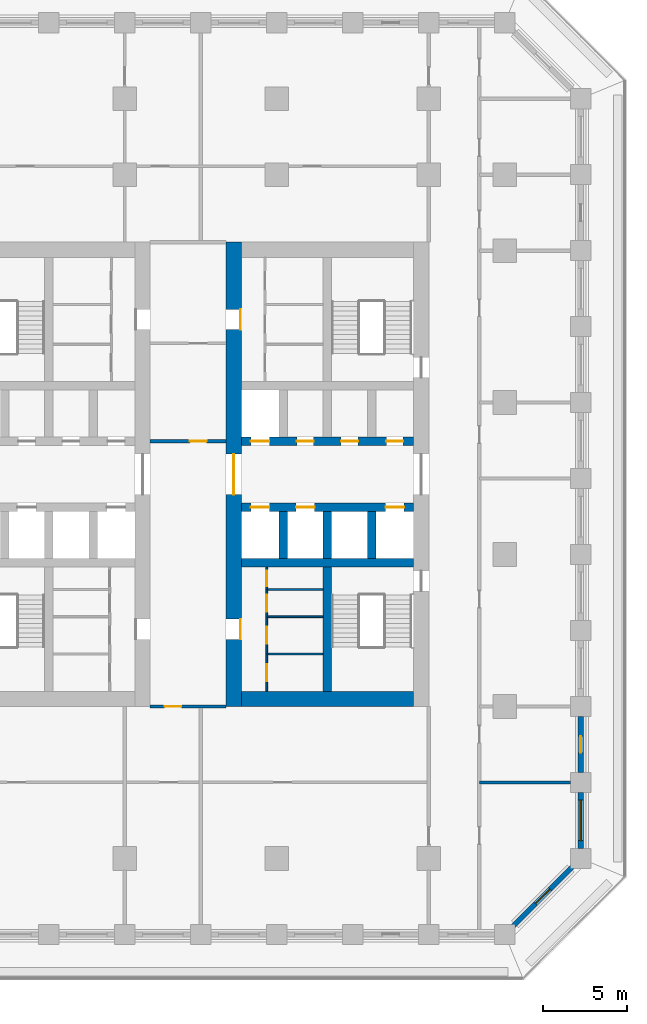
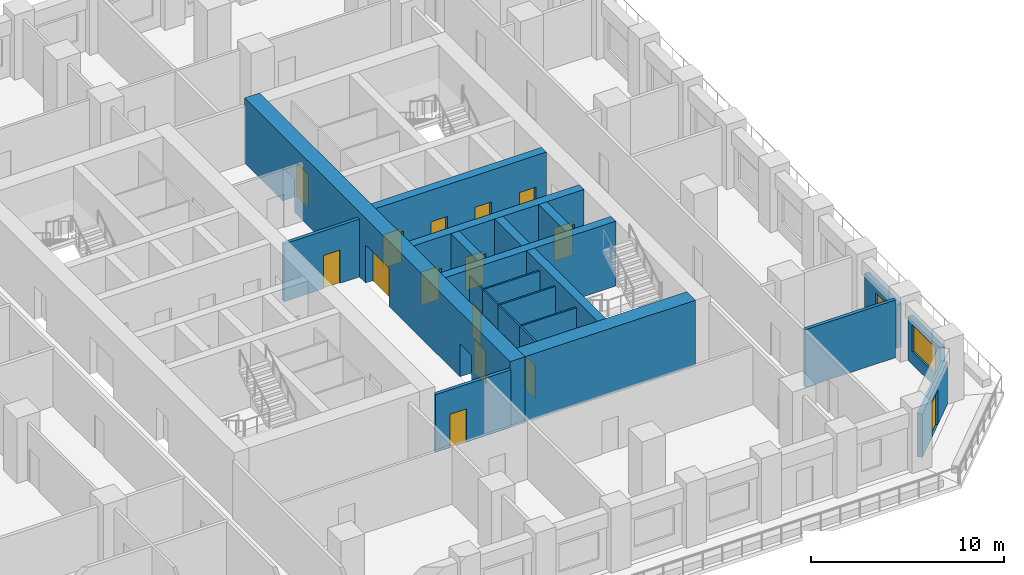
# One storey, part 5 of 17: 22 walls, 18 doors, 1 window, 19 openings.
"""IFC4 building model written with IfcOpenShell, lengths in metres."""

from ifc_helpers import new_model, si_unit, direction, frame, frame_2d, origin, place, context, subcontext, project, spatial, rectangle, extrude, material, layer, layer_set, type_object, element, fill, save


model = new_model("IFC4")

# Units and contexts
model_context = context("Model", 3, precision=1e-05, world=origin(), true_north=direction((0.0, 1.0)))
body_context = subcontext(model_context, "Body", "Model", "MODEL_VIEW")
ifc_project = project(units=[si_unit("LENGTHUNIT", "METRE"), si_unit("AREAUNIT", "SQUARE_METRE"), si_unit("VOLUMEUNIT", "CUBIC_METRE"), si_unit("PLANEANGLEUNIT", "RADIAN"), si_unit("MASSUNIT", "GRAM", prefix="KILO")], contexts=[model_context])

# Site, building, storey
site_placement = place(None, origin())
site = spatial("IfcSite", under=ifc_project, at=site_placement, CompositionType="ELEMENT")
building_placement = place(site_placement, origin())
building = spatial("IfcBuilding", under=site, at=building_placement, Name="Corbel Stack Research Tower", CompositionType="ELEMENT")
storey_placement = place(building_placement, frame((0.0, 0.0, 129.0)))
storey = spatial("IfcBuildingStorey", under=building, at=storey_placement, Name="L29", CompositionType="ELEMENT", Elevation=129.0)

# Wall
ifc_material_1 = material(Name="Concrete C70/85", Category="concrete")
ifc_layer_1 = layer(ifc_material_1, 0.5)
ifc_layer_set_1 = layer_set([ifc_layer_1], Name="Concrete C70/85")
wall_type_1 = type_object("IfcWallType", Name="CW-500-70", PredefinedType="SHEAR", material=ifc_layer_set_1)
wall_1_placement = place(storey_placement, frame((6.89990234375, -0.5, 0.0), z_axis=(0.0, 0.0, 1.0), x_axis=(1.0, 0.0, 0.0)))
element("IfcWall", 1, at=wall_1_placement, inside=storey, type_object=wall_type_1, Name="East core wall, south row back L29", PredefinedType="SHEAR", context=body_context, shape_type="SweptSolid", body=[
    extrude(rectangle(XDim=10.2001953125, YDim=0.5, at=frame_2d((5.10009765625, 0.0))), origin(), (0.0, 0.0, 1.0), 4.10009765625),
])

# Wall, openings, doors
wall_2_placement = place(storey_placement, frame((6.89990234375, 2.800048828125, 0.0), z_axis=(0.0, 0.0, 1.0), x_axis=(1.0, 0.0, 0.0)))
wall_2 = element("IfcWall", 2, at=wall_2_placement, inside=storey, type_object=wall_type_1, Name="East core wall, lobby south L29", PredefinedType="SHEAR", context=body_context, shape_type="SweptSolid", body=[
    extrude(rectangle(XDim=10.2001953125, YDim=0.5, at=frame_2d((5.10009765625, 0.0))), origin(), (0.0, 0.0, 1.0), 4.10009765625),
])
opening_1_placement = place(wall_2_placement, frame((0.5625, 0.0, 0.0)))
opening_1 = element("IfcOpeningElement", 3, at=opening_1_placement, cuts=wall_2, Name="Opening LD-FS2", PredefinedType="OPENING", context=body_context, shape_type="SweptSolid", body=[
    extrude(rectangle(XDim=1.10009765625, YDim=2.10009765625, at=frame_2d((0.550048828125, 1.050048828125))), frame((0.0, 0.260009765625, 0.0), z_axis=(0.0, -1.0, 0.0), x_axis=(1.0, 0.0, 0.0)), (0.0, 0.0, 1.0), 0.52001953125),
])
opening_2_placement = place(wall_2_placement, frame((3.237548828125, 0.0, 0.0)))
opening_2 = element("IfcOpeningElement", 4, at=opening_2_placement, cuts=wall_2, Name="Opening LD-GL2", PredefinedType="OPENING", context=body_context, shape_type="SweptSolid", body=[
    extrude(rectangle(XDim=1.10009765625, YDim=2.10009765625, at=frame_2d((0.550048828125, 1.050048828125))), frame((0.0, 0.260009765625, 0.0), z_axis=(0.0, -1.0, 0.0), x_axis=(1.0, 0.0, 0.0)), (0.0, 0.0, 1.0), 0.52001953125),
])
opening_3_placement = place(wall_2_placement, frame((8.53759765625, 0.0, 0.0)))
opening_3 = element("IfcOpeningElement", 5, at=opening_3_placement, cuts=wall_2, Name="Opening LD-LR3", PredefinedType="OPENING", context=body_context, shape_type="SweptSolid", body=[
    extrude(rectangle(XDim=1.10009765625, YDim=2.10009765625, at=frame_2d((0.550048828125, 1.050048828125))), frame((0.0, 0.260009765625, 0.0), z_axis=(0.0, -1.0, 0.0), x_axis=(1.0, 0.0, 0.0)), (0.0, 0.0, 1.0), 0.52001953125),
])
ifc_material_2 = material(Name="Stainless steel landing door", Category="steel")
door_type_1 = type_object("IfcDoorType", Name="Lift landing door 1100 x 2100", OperationType="DOUBLE_DOOR_SLIDING", PredefinedType="DOOR", material=ifc_material_2)
door_1_placement = place(opening_1_placement, origin())
door_1 = element("IfcDoor", 6, at=door_1_placement, inside=storey, type_object=door_type_1, Name="Landing door FS2", OperationType="DOUBLE_DOOR_SLIDING", OverallHeight=2.10009765625, OverallWidth=1.10009765625, PredefinedType="DOOR", context=body_context, shape_type="SweptSolid", body=[
    extrude(rectangle(XDim=1.10009765625, YDim=2.10009765625, at=frame_2d((0.550048828125, 1.050048828125))), frame((0.0, 0.02490234375, 0.0), z_axis=(0.0, -1.0, 0.0), x_axis=(1.0, 0.0, 0.0)), (0.0, 0.0, 1.0), 0.050048828125),
])
fill(opening_1, door_1)
door_2_placement = place(opening_2_placement, origin())
door_2 = element("IfcDoor", 7, at=door_2_placement, inside=storey, type_object=door_type_1, Name="Landing door GL2", OperationType="DOUBLE_DOOR_SLIDING", OverallHeight=2.10009765625, OverallWidth=1.10009765625, PredefinedType="DOOR", context=body_context, shape_type="SweptSolid", body=[
    extrude(rectangle(XDim=1.10009765625, YDim=2.10009765625, at=frame_2d((0.550048828125, 1.050048828125))), frame((0.0, 0.02490234375, 0.0), z_axis=(0.0, -1.0, 0.0), x_axis=(1.0, 0.0, 0.0)), (0.0, 0.0, 1.0), 0.050048828125),
])
fill(opening_2, door_2)
door_3_placement = place(opening_3_placement, origin())
door_3 = element("IfcDoor", 8, at=door_3_placement, inside=storey, type_object=door_type_1, Name="Landing door LR3", OperationType="DOUBLE_DOOR_SLIDING", OverallHeight=2.10009765625, OverallWidth=1.10009765625, PredefinedType="DOOR", context=body_context, shape_type="SweptSolid", body=[
    extrude(rectangle(XDim=1.10009765625, YDim=2.10009765625, at=frame_2d((0.550048828125, 1.050048828125))), frame((0.0, 0.02490234375, 0.0), z_axis=(0.0, -1.0, 0.0), x_axis=(1.0, 0.0, 0.0)), (0.0, 0.0, 1.0), 0.050048828125),
])
fill(opening_3, door_3)

wall_3_placement = place(storey_placement, frame((6.89990234375, 6.699951171875, 0.0), z_axis=(0.0, 0.0, 1.0), x_axis=(1.0, 0.0, 0.0)))
wall_3 = element("IfcWall", 9, at=wall_3_placement, inside=storey, type_object=wall_type_1, Name="East core wall, lobby north L29", PredefinedType="SHEAR", context=body_context, shape_type="SweptSolid", body=[
    extrude(rectangle(XDim=10.2001953125, YDim=0.5, at=frame_2d((5.10009765625, 0.0))), origin(), (0.0, 0.0, 1.0), 4.10009765625),
])
opening_4_placement = place(wall_3_placement, frame((0.5625, 0.0, 0.0)))
opening_4 = element("IfcOpeningElement", 10, at=opening_4_placement, cuts=wall_3, Name="Opening LD-LR4", PredefinedType="OPENING", context=body_context, shape_type="SweptSolid", body=[
    extrude(rectangle(XDim=1.10009765625, YDim=2.10009765625, at=frame_2d((0.550048828125, 1.050048828125))), frame((0.0, 0.260009765625, 0.0), z_axis=(0.0, -1.0, 0.0), x_axis=(1.0, 0.0, 0.0)), (0.0, 0.0, 1.0), 0.52001953125),
])
opening_5_placement = place(wall_3_placement, frame((3.28759765625, 0.0, 0.0)))
opening_5 = element("IfcOpeningElement", 11, at=opening_5_placement, cuts=wall_3, Name="Opening CR-E42-N2", PredefinedType="OPENING", context=body_context, shape_type="SweptSolid", body=[
    extrude(rectangle(XDim=1.0, YDim=2.10009765625, at=frame_2d((0.5, 1.050048828125))), frame((0.0, 0.260009765625, 0.0), z_axis=(0.0, -1.0, 0.0), x_axis=(1.0, 0.0, 0.0)), (0.0, 0.0, 1.0), 0.52001953125),
])
opening_6_placement = place(wall_3_placement, frame((5.91259765625, 0.0, 0.0)))
opening_6 = element("IfcOpeningElement", 12, at=opening_6_placement, cuts=wall_3, Name="Opening CR-E42-N3", PredefinedType="OPENING", context=body_context, shape_type="SweptSolid", body=[
    extrude(rectangle(XDim=1.0, YDim=2.10009765625, at=frame_2d((0.5, 1.050048828125))), frame((0.0, 0.260009765625, 0.0), z_axis=(0.0, -1.0, 0.0), x_axis=(1.0, 0.0, 0.0)), (0.0, 0.0, 1.0), 0.52001953125),
])
opening_7_placement = place(wall_3_placement, frame((8.58740234375, 0.0, 0.0)))
opening_7 = element("IfcOpeningElement", 13, at=opening_7_placement, cuts=wall_3, Name="Opening CR-E42-N4", PredefinedType="OPENING", context=body_context, shape_type="SweptSolid", body=[
    extrude(rectangle(XDim=1.0, YDim=2.10009765625, at=frame_2d((0.5, 1.050048828125))), frame((0.0, 0.260009765625, 0.0), z_axis=(0.0, -1.0, 0.0), x_axis=(1.0, 0.0, 0.0)), (0.0, 0.0, 1.0), 0.52001953125),
])
door_4_placement = place(opening_4_placement, origin())
door_4 = element("IfcDoor", 14, at=door_4_placement, inside=storey, type_object=door_type_1, Name="Landing door LR4", OperationType="DOUBLE_DOOR_SLIDING", OverallHeight=2.10009765625, OverallWidth=1.10009765625, PredefinedType="DOOR", context=body_context, shape_type="SweptSolid", body=[
    extrude(rectangle(XDim=1.10009765625, YDim=2.10009765625, at=frame_2d((0.550048828125, 1.050048828125))), frame((0.0, 0.02490234375, 0.0), z_axis=(0.0, -1.0, 0.0), x_axis=(1.0, 0.0, 0.0)), (0.0, 0.0, 1.0), 0.050048828125),
])
fill(opening_4, door_4)
ifc_material_3 = material(Name="Painted steel door", Category="steel")
door_type_2 = type_object("IfcDoorType", Name="Service door 1000 x 2100 FD60 left hand", OperationType="SINGLE_SWING_LEFT", PredefinedType="DOOR", material=ifc_material_3)
door_5_placement = place(opening_6_placement, origin())
door_5 = element("IfcDoor", 15, at=door_5_placement, inside=storey, type_object=door_type_2, Name="Pantry door E core", OperationType="SINGLE_SWING_LEFT", OverallHeight=2.10009765625, OverallWidth=1.0, PredefinedType="DOOR", context=body_context, shape_type="SweptSolid", body=[
    extrude(rectangle(XDim=1.0, YDim=2.10009765625, at=frame_2d((0.5, 1.050048828125))), frame((0.0, 0.02490234375, 0.0), z_axis=(0.0, -1.0, 0.0), x_axis=(1.0, 0.0, 0.0)), (0.0, 0.0, 1.0), 0.050048828125),
])
fill(opening_6, door_5)
ifc_material_4 = material(Name="Painted steel door", Category="steel")
door_type_3 = type_object("IfcDoorType", Name="Service door 1000 x 2100 FD60 right hand", OperationType="SINGLE_SWING_RIGHT", PredefinedType="DOOR", material=ifc_material_4)
door_6_placement = place(opening_5_placement, origin())
door_6 = element("IfcDoor", 16, at=door_6_placement, inside=storey, type_object=door_type_3, Name="Electrical room door E core", OperationType="SINGLE_SWING_RIGHT", OverallHeight=2.10009765625, OverallWidth=1.0, PredefinedType="DOOR", context=body_context, shape_type="SweptSolid", body=[
    extrude(rectangle(XDim=1.0, YDim=2.10009765625, at=frame_2d((0.5, 1.050048828125))), frame((0.0, 0.02490234375, 0.0), z_axis=(0.0, -1.0, 0.0), x_axis=(1.0, 0.0, 0.0)), (0.0, 0.0, 1.0), 0.050048828125),
])
fill(opening_5, door_6)
door_7_placement = place(opening_7_placement, origin())
door_7 = element("IfcDoor", 17, at=door_7_placement, inside=storey, type_object=door_type_3, Name="Staff WC door E core", OperationType="SINGLE_SWING_RIGHT", OverallHeight=2.10009765625, OverallWidth=1.0, PredefinedType="DOOR", context=body_context, shape_type="SweptSolid", body=[
    extrude(rectangle(XDim=1.0, YDim=2.10009765625, at=frame_2d((0.5, 1.050048828125))), frame((0.0, 0.02490234375, 0.0), z_axis=(0.0, -1.0, 0.0), x_axis=(1.0, 0.0, 0.0)), (0.0, 0.0, 1.0), 0.050048828125),
])
fill(opening_7, door_7)

# Walls
for number, where, z_axis, x_axis, name in (
    (18, (9.375, -0.25, 0.0), (0.0, 0.0, 1.0), (0.0, 1.0, 0.0), "East core wall, south shaft 1 L29"),
    (19, (12.0, -0.25, 0.0), (0.0, 0.0, 1.0), (0.0, 1.0, 0.0), "East core wall, south shaft 2 L29"),
    (20, (14.625, -0.25, 0.0), (0.0, 0.0, 1.0), (0.0, 1.0, 0.0), "East core wall, south shaft 3 L29"),
):
    element("IfcWall", number, at=place(storey_placement, frame(where, z_axis=z_axis, x_axis=x_axis)), inside=storey, type_object=wall_type_1, Name=name, PredefinedType="SHEAR", context=body_context, shape_type="SweptSolid", body=[
        extrude(rectangle(XDim=2.800048828125, YDim=0.5, at=frame_2d((1.39990234375, 0.0))), origin(), (0.0, 0.0, 1.0), 4.10009765625),
    ])
wall_4_placement = place(storey_placement, frame((12.0, -8.10009765625, 0.0), z_axis=(0.0, 0.0, 1.0), x_axis=(0.0, 1.0, 0.0)))
element("IfcWall", 21, at=wall_4_placement, inside=storey, type_object=wall_type_1, Name="East core wall, south stair and WC L29", PredefinedType="SHEAR", context=body_context, shape_type="SweptSolid", body=[
    extrude(rectangle(XDim=7.35009765625, YDim=0.5, at=frame_2d((3.675048828125, 0.0))), origin(), (0.0, 0.0, 1.0), 4.10009765625),
])

# Wall, openings, doors
ifc_material_5 = material(Name="Concrete C70/85", Category="concrete")
ifc_layer_2 = layer(ifc_material_5, 0.89990234375)
ifc_layer_set_2 = layer_set([ifc_layer_2], Name="Concrete C70/85")
wall_type_2 = type_object("IfcWallType", Name="CW-900-70", PredefinedType="SHEAR", material=ifc_layer_set_2)
wall_5_placement = place(storey_placement, frame((6.449951171875, -9.0, 0.0), z_axis=(0.0, 0.0, 1.0), x_axis=(0.0, 1.0, 0.0)))
wall_5 = element("IfcWall", 22, at=wall_5_placement, inside=storey, type_object=wall_type_2, Name="East core wall, west face L29", PredefinedType="SHEAR", context=body_context, shape_type="SweptSolid", body=[
    extrude(rectangle(XDim=27.5, YDim=0.89990234375, at=frame_2d((13.75, 0.0))), origin(), (0.0, 0.0, 1.0), 4.10009765625),
])
opening_8_placement = place(wall_5_placement, frame((12.550048828125, 0.0, 0.0)))
opening_8 = element("IfcOpeningElement", 23, at=opening_8_placement, cuts=wall_5, Name="Opening CD-E-W", PredefinedType="OPENING", context=body_context, shape_type="SweptSolid", body=[
    extrude(rectangle(XDim=2.39990234375, YDim=2.39990234375, at=frame_2d((1.199951171875, 1.199951171875))), frame((0.0, 0.4599609375, 0.0), z_axis=(0.0, -1.0, 0.0), x_axis=(1.0, 0.0, 0.0)), (0.0, 0.0, 1.0), 0.919921875),
])
opening_9_placement = place(wall_5_placement, frame((3.97509765625, 0.0, 0.0)))
opening_9 = element("IfcOpeningElement", 24, at=opening_9_placement, cuts=wall_5, Name="Opening CR-E42-W1-1200", PredefinedType="OPENING", context=body_context, shape_type="SweptSolid", body=[
    extrude(rectangle(XDim=1.199951171875, YDim=2.10009765625, at=frame_2d((0.60009765625, 1.050048828125))), frame((0.0, 0.4599609375, 0.0), z_axis=(0.0, -1.0, 0.0), x_axis=(1.0, 0.0, 0.0)), (0.0, 0.0, 1.0), 0.919921875),
])
opening_10_placement = place(wall_5_placement, frame((22.324951171875, 0.0, 0.0)))
opening_10 = element("IfcOpeningElement", 25, at=opening_10_placement, cuts=wall_5, Name="Opening CR-E42-R1-1200", PredefinedType="OPENING", context=body_context, shape_type="SweptSolid", body=[
    extrude(rectangle(XDim=1.199951171875, YDim=2.10009765625, at=frame_2d((0.60009765625, 1.050048828125))), frame((0.0, 0.4599609375, 0.0), z_axis=(0.0, -1.0, 0.0), x_axis=(1.0, 0.0, 0.0)), (0.0, 0.0, 1.0), 0.919921875),
])
ifc_material_6 = material(Name="Painted steel fire door", Category="steel")
door_type_4 = type_object("IfcDoorType", Name="Lobby door pair 2400 x 2400 FD30S", OperationType="DOUBLE_DOOR_DOUBLE_SWING", PredefinedType="DOOR", material=ifc_material_6)
door_8_placement = place(opening_8_placement, origin())
door_8 = element("IfcDoor", 26, at=door_8_placement, inside=storey, type_object=door_type_4, Name="Lift lobby door E core W", OperationType="DOUBLE_DOOR_DOUBLE_SWING", OverallHeight=2.39990234375, OverallWidth=2.39990234375, PredefinedType="DOOR", context=body_context, shape_type="SweptSolid", body=[
    extrude(rectangle(XDim=2.39990234375, YDim=2.39990234375, at=frame_2d((1.199951171875, 1.199951171875))), frame((0.0, 0.02490234375, 0.0), z_axis=(0.0, -1.0, 0.0), x_axis=(1.0, 0.0, 0.0)), (0.0, 0.0, 1.0), 0.050048828125),
])
fill(opening_8, door_8)
ifc_material_7 = material(Name="Painted steel door", Category="steel")
door_type_5 = type_object("IfcDoorType", Name="Service door 1200 x 2100 FD30 right hand", OperationType="SINGLE_SWING_RIGHT", PredefinedType="DOOR", material=ifc_material_7)
door_9_placement = place(opening_10_placement, origin())
door_9 = element("IfcDoor", 27, at=door_9_placement, inside=storey, type_object=door_type_5, Name="Service passage door E core", OperationType="SINGLE_SWING_RIGHT", OverallHeight=2.10009765625, OverallWidth=1.199951171875, PredefinedType="DOOR", context=body_context, shape_type="SweptSolid", body=[
    extrude(rectangle(XDim=1.199951171875, YDim=2.10009765625, at=frame_2d((0.60009765625, 1.050048828125))), frame((0.0, -0.375, 0.0), z_axis=(0.0, -1.0, 0.0), x_axis=(1.0, 0.0, 0.0)), (0.0, 0.0, 1.0), 0.050048828125),
])
fill(opening_10, door_9)
ifc_material_8 = material(Name="Painted timber door", Category="wood")
door_type_6 = type_object("IfcDoorType", Name="WC door 1200 x 2100 right hand", OperationType="SINGLE_SWING_RIGHT", PredefinedType="DOOR", material=ifc_material_8)
door_10_placement = place(opening_9_placement, origin())
door_10 = element("IfcDoor", 28, at=door_10_placement, inside=storey, type_object=door_type_6, Name="WC lobby door E core", OperationType="SINGLE_SWING_RIGHT", OverallHeight=2.10009765625, OverallWidth=1.199951171875, PredefinedType="DOOR", context=body_context, shape_type="SweptSolid", body=[
    extrude(rectangle(XDim=1.199951171875, YDim=2.10009765625, at=frame_2d((0.60009765625, 1.050048828125))), frame((0.0, -0.375, 0.0), z_axis=(0.0, -1.0, 0.0), x_axis=(1.0, 0.0, 0.0)), (0.0, 0.0, 1.0), 0.050048828125),
])
fill(opening_9, door_10)

# Wall
wall_6_placement = place(storey_placement, frame((6.89990234375, -8.550048828125, 0.0), z_axis=(0.0, 0.0, 1.0), x_axis=(1.0, 0.0, 0.0)))
element("IfcWall", 29, at=wall_6_placement, inside=storey, type_object=wall_type_2, Name="East core wall, south end L29", PredefinedType="SHEAR", context=body_context, shape_type="SweptSolid", body=[
    extrude(rectangle(XDim=10.2001953125, YDim=0.89990234375, at=frame_2d((5.10009765625, 0.0))), origin(), (0.0, 0.0, 1.0), 4.10009765625),
])

# Wall, opening, door
ifc_material_9 = material(Name="Gypsum board")
ifc_layer_3 = layer(ifc_material_9, 0.10009765625)
ifc_layer_set_3 = layer_set([ifc_layer_3], Name="Gypsum board")
wall_type_3 = type_object("IfcWallType", Name="Core partition 100", PredefinedType="PARTITIONING", material=ifc_layer_set_3)
wall_7_placement = place(storey_placement, frame((8.39990234375, -8.10009765625, 0.0), z_axis=(0.0, 0.0, 1.0), x_axis=(0.0, 1.0, 0.0)))
wall_7 = element("IfcWall", 30, at=wall_7_placement, inside=storey, type_object=wall_type_3, Name="Core partition E", PredefinedType="PARTITIONING", context=body_context, shape_type="SweptSolid", body=[
    extrude(rectangle(XDim=2.205078125, YDim=0.10009765625, at=frame_2d((1.1025390625, 0.0))), origin(), (0.0, 0.0, 1.0), 3.64990234375),
])
opening_11_placement = place(wall_7_placement, frame((0.6025390625, 0.0, 0.0)))
opening_11 = element("IfcOpeningElement", 31, at=opening_11_placement, cuts=wall_7, Name="Opening CR-E42-W2-1000", PredefinedType="OPENING", context=body_context, shape_type="SweptSolid", body=[
    extrude(rectangle(XDim=1.0, YDim=2.10009765625, at=frame_2d((0.5, 1.050048828125))), frame((0.0, 0.06005859375, 0.0), z_axis=(0.0, -1.0, 0.0), x_axis=(1.0, 0.0, 0.0)), (0.0, 0.0, 1.0), 0.1201171875),
])
ifc_material_10 = material(Name="Painted timber door", Category="wood")
door_type_7 = type_object("IfcDoorType", Name="WC door 1000 x 2100 left hand", OperationType="SINGLE_SWING_LEFT", PredefinedType="DOOR", material=ifc_material_10)
door_11_placement = place(opening_11_placement, origin())
door_11 = element("IfcDoor", 32, at=door_11_placement, inside=storey, type_object=door_type_7, Name="Men's WC door E core", OperationType="SINGLE_SWING_LEFT", OverallHeight=2.10009765625, OverallWidth=1.0, PredefinedType="DOOR", context=body_context, shape_type="SweptSolid", body=[
    extrude(rectangle(XDim=1.0, YDim=2.10009765625, at=frame_2d((0.5, 1.050048828125))), frame((0.0, 0.02490234375, 0.0), z_axis=(0.0, -1.0, 0.0), x_axis=(1.0, 0.0, 0.0)), (0.0, 0.0, 1.0), 0.050048828125),
])
fill(opening_11, door_11)

wall_8_placement = place(storey_placement, frame((8.39990234375, -5.89501953125, 0.0), z_axis=(0.0, 0.0, 1.0), x_axis=(0.0, 1.0, 0.0)))
wall_8 = element("IfcWall", 33, at=wall_8_placement, inside=storey, type_object=wall_type_3, Name="Core partition E", PredefinedType="PARTITIONING", context=body_context, shape_type="SweptSolid", body=[
    extrude(rectangle(XDim=2.205078125, YDim=0.10009765625, at=frame_2d((1.1025390625, 0.0))), origin(), (0.0, 0.0, 1.0), 3.64990234375),
])
opening_12_placement = place(wall_8_placement, frame((0.6025390625, 0.0, 0.0)))
opening_12 = element("IfcOpeningElement", 34, at=opening_12_placement, cuts=wall_8, Name="Opening CR-E42-W3-1000", PredefinedType="OPENING", context=body_context, shape_type="SweptSolid", body=[
    extrude(rectangle(XDim=1.0, YDim=2.10009765625, at=frame_2d((0.5, 1.050048828125))), frame((0.0, 0.06005859375, 0.0), z_axis=(0.0, -1.0, 0.0), x_axis=(1.0, 0.0, 0.0)), (0.0, 0.0, 1.0), 0.1201171875),
])
ifc_material_11 = material(Name="Painted timber door", Category="wood")
door_type_8 = type_object("IfcDoorType", Name="WC door 1000 x 2100 right hand", OperationType="SINGLE_SWING_RIGHT", PredefinedType="DOOR", material=ifc_material_11)
door_12_placement = place(opening_12_placement, origin())
door_12 = element("IfcDoor", 35, at=door_12_placement, inside=storey, type_object=door_type_8, Name="Women's WC door E core", OperationType="SINGLE_SWING_RIGHT", OverallHeight=2.10009765625, OverallWidth=1.0, PredefinedType="DOOR", context=body_context, shape_type="SweptSolid", body=[
    extrude(rectangle(XDim=1.0, YDim=2.10009765625, at=frame_2d((0.5, 1.050048828125))), frame((0.0, 0.02490234375, 0.0), z_axis=(0.0, -1.0, 0.0), x_axis=(1.0, 0.0, 0.0)), (0.0, 0.0, 1.0), 0.050048828125),
])
fill(opening_12, door_12)

wall_9_placement = place(storey_placement, frame((8.39990234375, -3.68994140625, 0.0), z_axis=(0.0, 0.0, 1.0), x_axis=(0.0, 1.0, 0.0)))
wall_9 = element("IfcWall", 36, at=wall_9_placement, inside=storey, type_object=wall_type_3, Name="Core partition E", PredefinedType="PARTITIONING", context=body_context, shape_type="SweptSolid", body=[
    extrude(rectangle(XDim=1.616943359375, YDim=0.10009765625, at=frame_2d((0.80859375, 0.0))), origin(), (0.0, 0.0, 1.0), 3.64990234375),
])
opening_13_placement = place(wall_9_placement, frame((0.30859375, 0.0, 0.0)))
opening_13 = element("IfcOpeningElement", 37, at=opening_13_placement, cuts=wall_9, Name="Opening CR-E42-W4-1000", PredefinedType="OPENING", context=body_context, shape_type="SweptSolid", body=[
    extrude(rectangle(XDim=1.0, YDim=2.10009765625, at=frame_2d((0.5, 1.050048828125))), frame((0.0, 0.06005859375, 0.0), z_axis=(0.0, -1.0, 0.0), x_axis=(1.0, 0.0, 0.0)), (0.0, 0.0, 1.0), 0.1201171875),
])
door_13_placement = place(opening_13_placement, origin())
door_13 = element("IfcDoor", 38, at=door_13_placement, inside=storey, type_object=door_type_7, Name="Accessible WC door E core", OperationType="SINGLE_SWING_LEFT", OverallHeight=2.10009765625, OverallWidth=1.0, PredefinedType="DOOR", context=body_context, shape_type="SweptSolid", body=[
    extrude(rectangle(XDim=1.0, YDim=2.10009765625, at=frame_2d((0.5, 1.050048828125))), frame((0.0, 0.02490234375, 0.0), z_axis=(0.0, -1.0, 0.0), x_axis=(1.0, 0.0, 0.0)), (0.0, 0.0, 1.0), 0.050048828125),
])
fill(opening_13, door_13)

wall_10_placement = place(storey_placement, frame((8.39990234375, -2.072998046875, 0.0), z_axis=(0.0, 0.0, 1.0), x_axis=(0.0, 1.0, 0.0)))
wall_10 = element("IfcWall", 39, at=wall_10_placement, inside=storey, type_object=wall_type_3, Name="Core partition E", PredefinedType="PARTITIONING", context=body_context, shape_type="SweptSolid", body=[
    extrude(rectangle(XDim=1.322998046875, YDim=0.10009765625, at=frame_2d((0.66162109375, 0.0))), origin(), (0.0, 0.0, 1.0), 3.64990234375),
])
opening_14_placement = place(wall_10_placement, frame((0.199951171875, 0.0, 0.0)))
opening_14 = element("IfcOpeningElement", 40, at=opening_14_placement, cuts=wall_10, Name="Opening CR-E42-W5-923", PredefinedType="OPENING", context=body_context, shape_type="SweptSolid", body=[
    extrude(rectangle(XDim=0.923095703125, YDim=2.10009765625, at=frame_2d((0.46142578125, 1.050048828125))), frame((0.0, 0.06005859375, 0.0), z_axis=(0.0, -1.0, 0.0), x_axis=(1.0, 0.0, 0.0)), (0.0, 0.0, 1.0), 0.1201171875),
])
ifc_material_12 = material(Name="Painted steel door", Category="steel")
door_type_9 = type_object("IfcDoorType", Name="Service door 923 x 2100 FD30 right hand", OperationType="SINGLE_SWING_RIGHT", PredefinedType="DOOR", material=ifc_material_12)
door_14_placement = place(opening_14_placement, origin())
door_14 = element("IfcDoor", 41, at=door_14_placement, inside=storey, type_object=door_type_9, Name="Cleaner's store door E core", OperationType="SINGLE_SWING_RIGHT", OverallHeight=2.10009765625, OverallWidth=0.923095703125, PredefinedType="DOOR", context=body_context, shape_type="SweptSolid", body=[
    extrude(rectangle(XDim=0.923095703125, YDim=2.10009765625, at=frame_2d((0.46142578125, 1.050048828125))), frame((0.0, 0.02490234375, 0.0), z_axis=(0.0, -1.0, 0.0), x_axis=(1.0, 0.0, 0.0)), (0.0, 0.0, 1.0), 0.050048828125),
])
fill(opening_14, door_14)

# Walls
for number, where, z_axis, x_axis, name in (
    (42, (8.39990234375, -5.89501953125, 0.0), (0.0, 0.0, 1.0), (1.0, 0.0, 0.0), "Core partition E"),
    (43, (8.39990234375, -3.68994140625, 0.0), (0.0, 0.0, 1.0), (1.0, 0.0, 0.0), "Core partition E"),
    (44, (8.39990234375, -2.072998046875, 0.0), (0.0, 0.0, 1.0), (1.0, 0.0, 0.0), "Core partition E"),
):
    element("IfcWall", number, at=place(storey_placement, frame(where, z_axis=z_axis, x_axis=x_axis)), inside=storey, type_object=wall_type_3, Name=name, PredefinedType="PARTITIONING", context=body_context, shape_type="SweptSolid", body=[
        extrude(rectangle(XDim=3.35009765625, YDim=0.10009765625, at=frame_2d((1.675048828125, 0.0))), origin(), (0.0, 0.0, 1.0), 3.64990234375),
    ])
ifc_material_13 = material(Name="Fire-rated gypsum board partition on steel studs", Category="steel")
ifc_layer_4 = layer(ifc_material_13, 0.199951171875)
ifc_layer_set_4 = layer_set([ifc_layer_4], Name="Fire-rated gypsum board partition on steel studs")
wall_type_4 = type_object("IfcWallType", Name="Fire-rated partition 200 EI 60", PredefinedType="PARTITIONING", material=ifc_layer_set_4)
wall_11_placement = place(storey_placement, frame((21.0, -13.5, 0.0), z_axis=(0.0, 0.0, 1.0), x_axis=(1.0, 0.0, 0.0)))
element("IfcWall", 45, at=wall_11_placement, inside=storey, type_object=wall_type_4, Name="Partition L29-027", PredefinedType="PARTITIONING", context=body_context, shape_type="SweptSolid", body=[
    extrude(rectangle(XDim=5.39990234375, YDim=0.199951171875, at=frame_2d((2.699951171875, 0.0))), origin(), (0.0, 0.0, 1.0), 3.64990234375),
])

# Wall, opening, door
wall_12_placement = place(storey_placement, frame((6.0, -9.0, 0.0), z_axis=(0.0, 0.0, 1.0), x_axis=(-1.0, 0.0, 0.0)))
wall_12 = element("IfcWall", 46, at=wall_12_placement, inside=storey, type_object=wall_type_4, Name="Partition L29-030", PredefinedType="PARTITIONING", context=body_context, shape_type="SweptSolid", body=[
    extrude(rectangle(XDim=4.5, YDim=0.199951171875, at=frame_2d((2.25, 0.0))), origin(), (0.0, 0.0, 1.0), 3.64990234375),
])
opening_15_placement = place(wall_12_placement, frame((2.64990234375, 0.0, 0.0)))
opening_15 = element("IfcOpeningElement", 47, at=opening_15_placement, cuts=wall_12, Name="Opening B4V1-022", PredefinedType="OPENING", context=body_context, shape_type="SweptSolid", body=[
    extrude(rectangle(XDim=1.0, YDim=2.10009765625, at=frame_2d((0.5, 1.050048828125))), frame((0.0, 0.10986328125, 0.0), z_axis=(0.0, -1.0, 0.0), x_axis=(1.0, 0.0, 0.0)), (0.0, 0.0, 1.0), 0.219970703125),
])
ifc_material_14 = material(Name="Painted steel fire door", Category="steel")
door_type_10 = type_object("IfcDoorType", Name="Fire door FD30S 1000 x 2100", OperationType="NOTDEFINED", PredefinedType="DOOR", material=ifc_material_14)
door_15_placement = place(opening_15_placement, origin())
door_15 = element("IfcDoor", 48, at=door_15_placement, inside=storey, type_object=door_type_10, Name="Door B4V1-022", OperationType="SINGLE_SWING_RIGHT", OverallHeight=2.10009765625, OverallWidth=1.0, PredefinedType="DOOR", context=body_context, shape_type="SweptSolid", body=[
    extrude(rectangle(XDim=1.0, YDim=2.10009765625, at=frame_2d((0.5, 1.050048828125))), frame((0.0, 0.02490234375, 0.0), z_axis=(0.0, -1.0, 0.0), x_axis=(1.0, 0.0, 0.0)), (0.0, 0.0, 1.0), 0.050048828125),
])
fill(opening_15, door_15)

wall_13_placement = place(storey_placement, frame((1.5, 6.699951171875, 0.0), z_axis=(0.0, 0.0, 1.0), x_axis=(1.0, 0.0, 0.0)))
wall_13 = element("IfcWall", 49, at=wall_13_placement, inside=storey, type_object=wall_type_4, Name="Partition L29-035", PredefinedType="PARTITIONING", context=body_context, shape_type="SweptSolid", body=[
    extrude(rectangle(XDim=4.5, YDim=0.199951171875, at=frame_2d((2.25, 0.0))), origin(), (0.0, 0.0, 1.0), 3.64990234375),
])
opening_16_placement = place(wall_13_placement, frame((2.35009765625, 0.0, 0.0)))
opening_16 = element("IfcOpeningElement", 50, at=opening_16_placement, cuts=wall_13, Name="Opening B4V1-024", PredefinedType="OPENING", context=body_context, shape_type="SweptSolid", body=[
    extrude(rectangle(XDim=1.0, YDim=2.10009765625, at=frame_2d((0.5, 1.050048828125))), frame((0.0, 0.10986328125, 0.0), z_axis=(0.0, -1.0, 0.0), x_axis=(1.0, 0.0, 0.0)), (0.0, 0.0, 1.0), 0.219970703125),
])
door_16_placement = place(opening_16_placement, origin())
door_16 = element("IfcDoor", 51, at=door_16_placement, inside=storey, type_object=door_type_10, Name="Door B4V1-024", OperationType="SINGLE_SWING_RIGHT", OverallHeight=2.10009765625, OverallWidth=1.0, PredefinedType="DOOR", context=body_context, shape_type="SweptSolid", body=[
    extrude(rectangle(XDim=1.0, YDim=2.10009765625, at=frame_2d((0.5, 1.050048828125))), frame((0.0, 0.02490234375, 0.0), z_axis=(0.0, -1.0, 0.0), x_axis=(1.0, 0.0, 0.0)), (0.0, 0.0, 1.0), 0.050048828125),
])
fill(opening_16, door_16)

ifc_material_15 = material(Name="Concrete C45/55", Category="concrete")
ifc_layer_5 = layer(ifc_material_15, 0.300048828125)
ifc_layer_set_5 = layer_set([ifc_layer_5], Name="Concrete C45/55")
wall_type_5 = type_object("IfcWallType", Name="Terracotta-faced concrete wall 300", PredefinedType="SOLIDWALL", material=ifc_layer_set_5)
wall_14_placement = place(storey_placement, frame((26.506103515625, -18.493896484375, 0.0), z_axis=(0.0, 0.0, 1.0), x_axis=(-0.707106781187, -0.707106781187, 0.0)))
wall_14 = element("IfcWall", 52, at=wall_14_placement, inside=storey, type_object=wall_type_5, Name="Facade wall L29 SE01", PredefinedType="SOLIDWALL", context=body_context, shape_type="SweptSolid", body=[
    extrude(rectangle(XDim=4.967041015625, YDim=0.300048828125, at=frame_2d((2.4833984375, 0.0))), origin(), (0.0, 0.0, 1.0), 2.75),
])
opening_17_placement = place(wall_14_placement, frame((1.883544921875, 0.0, 0.0)))
opening_17 = element("IfcOpeningElement", 53, at=opening_17_placement, cuts=wall_14, Name="Opening L29-B03", PredefinedType="OPENING", context=body_context, shape_type="SweptSolid", body=[
    extrude(rectangle(XDim=1.199951171875, YDim=2.199951171875, at=frame_2d((0.60009765625, 1.10009765625))), frame((0.0, 0.159912109375, 0.0), z_axis=(0.0, -1.0, 0.0), x_axis=(1.0, 0.0, 0.0)), (0.0, 0.0, 1.0), 0.320068359375),
])
ifc_material_16 = material(Name="Aluminium frame, clear double glazing", Category="aluminium")
door_type_11 = type_object("IfcDoorType", Name="Balcony door BD2 1200 x 2200", OperationType="NOTDEFINED", PredefinedType="DOOR", material=ifc_material_16)
door_17_placement = place(opening_17_placement, origin())
door_17 = element("IfcDoor", 54, at=door_17_placement, inside=storey, type_object=door_type_11, Name="Balcony door L29-B03", OperationType="SINGLE_SWING_RIGHT", OverallHeight=2.199951171875, OverallWidth=1.199951171875, PredefinedType="DOOR", context=body_context, shape_type="SweptSolid", body=[
    extrude(rectangle(XDim=1.199951171875, YDim=2.199951171875, at=frame_2d((0.60009765625, 1.10009765625))), frame((0.0, 0.02490234375, 0.0), z_axis=(0.0, -1.0, 0.0), x_axis=(1.0, 0.0, 0.0)), (0.0, 0.0, 1.0), 0.050048828125),
])
fill(opening_17, door_17)

# Wall, opening, window
wall_15_placement = place(storey_placement, frame((27.0, -14.10009765625, 0.0), z_axis=(0.0, 0.0, 1.0), x_axis=(0.0, -1.0, 0.0)))
wall_15 = element("IfcWall", 55, at=wall_15_placement, inside=storey, type_object=wall_type_5, Name="Facade wall L29 E01", PredefinedType="SOLIDWALL", context=body_context, shape_type="SweptSolid", body=[
    extrude(rectangle(XDim=3.2998046875, YDim=0.300048828125, at=frame_2d((1.64990234375, 0.0))), origin(), (0.0, 0.0, 1.0), 2.75),
])
opening_18_placement = place(wall_15_placement, frame((0.449951171875, 0.0, 0.800048828125)))
opening_18 = element("IfcOpeningElement", 56, at=opening_18_placement, cuts=wall_15, Name="Opening W1", PredefinedType="OPENING", context=body_context, shape_type="SweptSolid", body=[
    extrude(rectangle(XDim=2.39990234375, YDim=1.699951171875, at=frame_2d((1.199951171875, 0.85009765625))), frame((0.0, 0.159912109375, 0.0), z_axis=(0.0, -1.0, 0.0), x_axis=(1.0, 0.0, 0.0)), (0.0, 0.0, 1.0), 0.320068359375),
])
ifc_material_17 = material(Name="Aluminium frame, clear double glazing", Category="aluminium")
window_type = type_object("IfcWindowType", Name="Window W1 2400 x 1700", PartitioningType="SINGLE_PANEL", PredefinedType="WINDOW", material=ifc_material_17)
window_placement = place(opening_18_placement, origin())
window = element("IfcWindow", 57, at=window_placement, inside=storey, type_object=window_type, Name="Window W1 L29 E01", OverallHeight=1.699951171875, OverallWidth=2.39990234375, PartitioningType="SINGLE_PANEL", PredefinedType="WINDOW", context=body_context, shape_type="SweptSolid", body=[
    extrude(rectangle(XDim=2.39990234375, YDim=1.699951171875, at=frame_2d((1.199951171875, 0.85009765625))), frame((0.0, 0.030029296875, 0.0), z_axis=(0.0, -1.0, 0.0), x_axis=(1.0, 0.0, 0.0)), (0.0, 0.0, 1.0), 0.06005859375),
])
fill(opening_18, window)

# Wall, opening, door
wall_16_placement = place(storey_placement, frame((27.0, -9.60009765625, 0.0), z_axis=(0.0, 0.0, 1.0), x_axis=(0.0, -1.0, 0.0)))
wall_16 = element("IfcWall", 58, at=wall_16_placement, inside=storey, type_object=wall_type_5, Name="Facade wall L29 E02", PredefinedType="SOLIDWALL", context=body_context, shape_type="SweptSolid", body=[
    extrude(rectangle(XDim=3.2998046875, YDim=0.300048828125, at=frame_2d((1.64990234375, 0.0))), origin(), (0.0, 0.0, 1.0), 2.75),
])
opening_19_placement = place(wall_16_placement, frame((1.14990234375, 0.0, 0.0)))
opening_19 = element("IfcOpeningElement", 59, at=opening_19_placement, cuts=wall_16, Name="Opening L29-B04", PredefinedType="OPENING", context=body_context, shape_type="SweptSolid", body=[
    extrude(rectangle(XDim=1.0, YDim=2.199951171875, at=frame_2d((0.5, 1.10009765625))), frame((0.0, 0.159912109375, 0.0), z_axis=(0.0, -1.0, 0.0), x_axis=(1.0, 0.0, 0.0)), (0.0, 0.0, 1.0), 0.320068359375),
])
ifc_material_18 = material(Name="Aluminium frame, clear double glazing", Category="aluminium")
door_type_12 = type_object("IfcDoorType", Name="Balcony door BD1 1000 x 2200", OperationType="NOTDEFINED", PredefinedType="DOOR", material=ifc_material_18)
door_18_placement = place(opening_19_placement, origin())
door_18 = element("IfcDoor", 60, at=door_18_placement, inside=storey, type_object=door_type_12, Name="Balcony door L29-B04", OperationType="SINGLE_SWING_LEFT", OverallHeight=2.199951171875, OverallWidth=1.0, PredefinedType="DOOR", context=body_context, shape_type="SweptSolid", body=[
    extrude(rectangle(XDim=1.0, YDim=2.199951171875, at=frame_2d((0.5, 1.10009765625))), frame((0.0, 0.02490234375, 0.0), z_axis=(0.0, -1.0, 0.0), x_axis=(1.0, 0.0, 0.0)), (0.0, 0.0, 1.0), 0.050048828125),
])
fill(opening_19, door_18)

save(model, "model.ifc")
